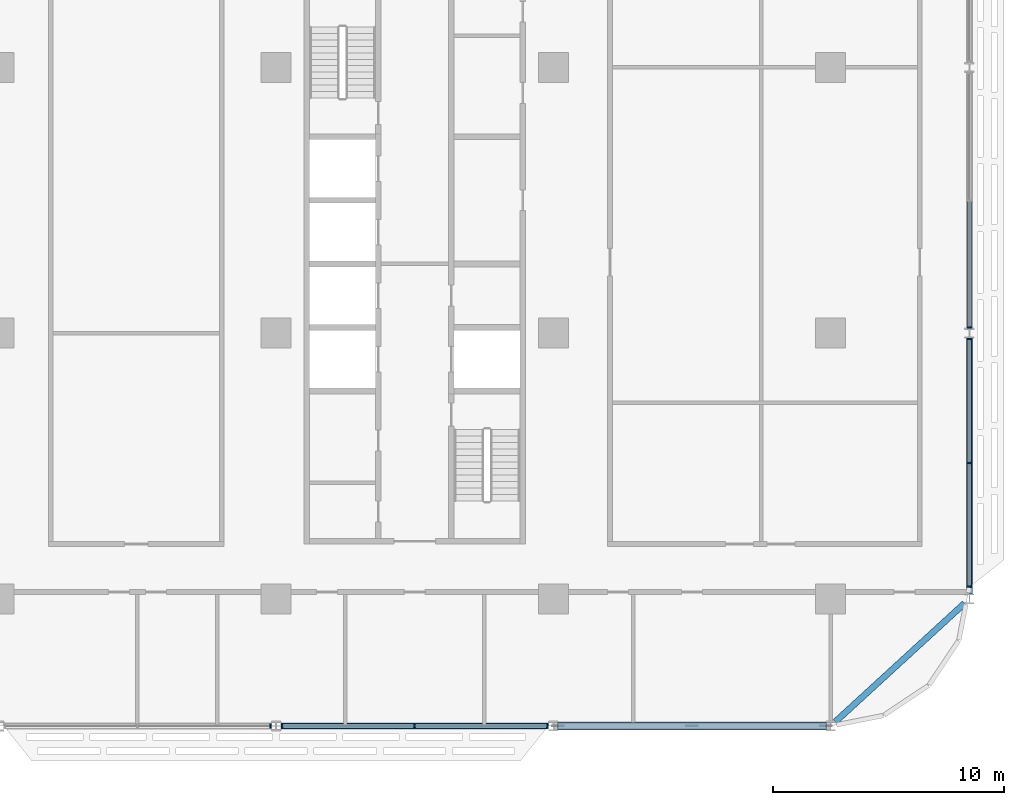
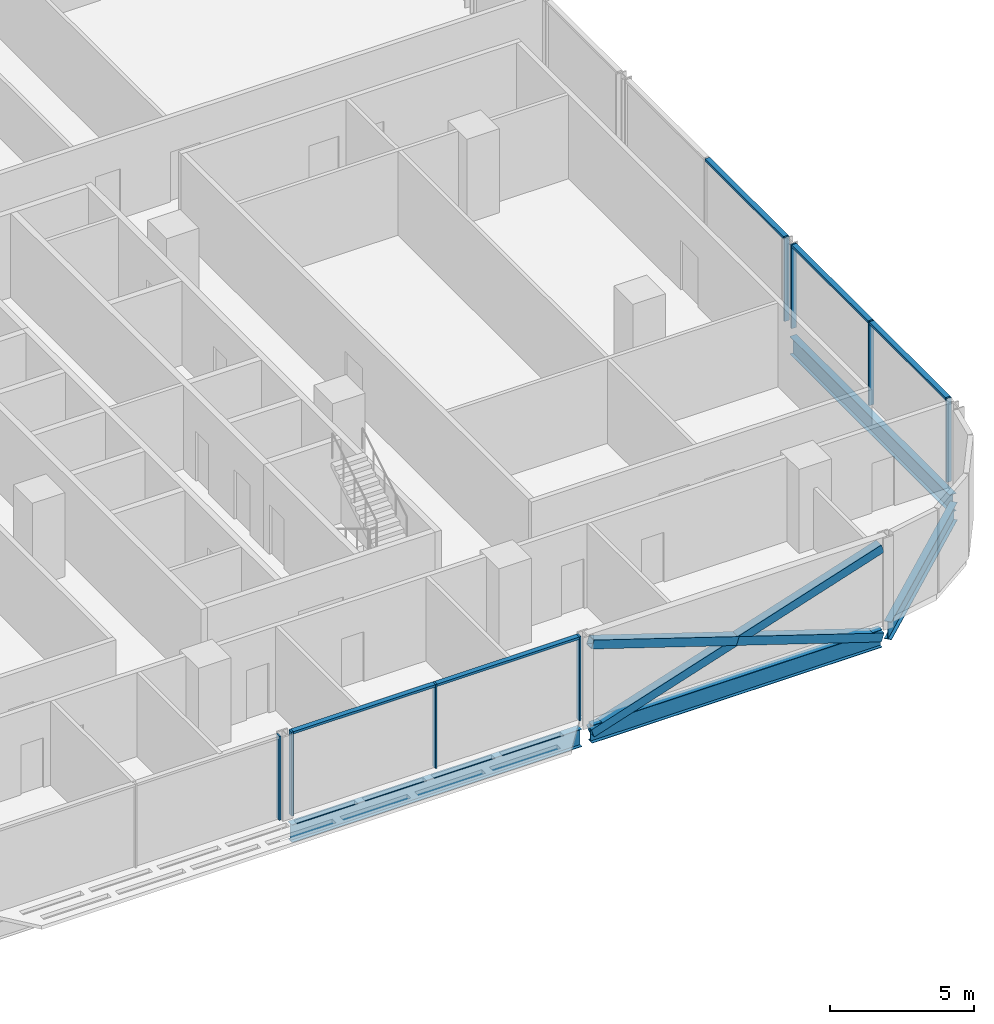
# One storey, part 8 of 29: 16 members, 4 beams, 4 elements without a shape of their own.
"""IFC4 building model written with IfcOpenShell, lengths in metres."""

from ifc_helpers import new_model, si_unit, direction, frame, origin, origin_2d, place, context, subcontext, project, spatial, rectangle, hollow_rectangle, i_section, extrude, material, material_profile, profile_set, type_object, element, aggregate, save


model = new_model("IFC4")

# Units and contexts
model_context = context("Model", 3, precision=1e-05, world=origin(), true_north=direction((0.0, 1.0)))
body_context = subcontext(model_context, "Body", "Model", "MODEL_VIEW")
ifc_project = project(units=[si_unit("LENGTHUNIT", "METRE"), si_unit("AREAUNIT", "SQUARE_METRE"), si_unit("VOLUMEUNIT", "CUBIC_METRE"), si_unit("PLANEANGLEUNIT", "RADIAN"), si_unit("MASSUNIT", "GRAM", prefix="KILO")], contexts=[model_context])

# Site, building, storey
site_placement = place(None, origin())
site = spatial("IfcSite", under=ifc_project, at=site_placement, CompositionType="ELEMENT")
building_placement = place(site_placement, origin())
building = spatial("IfcBuilding", under=site, at=building_placement, Name="Mahtab Terrace Research Tower", CompositionType="ELEMENT")
storey_placement = place(building_placement, frame((0.0, 0.0, 150.699951171875)))
storey = spatial("IfcBuildingStorey", under=building, at=storey_placement, Name="L35", CompositionType="ELEMENT", Elevation=150.699951171875)

# Members
ifc_material_1 = material(Name="Steel ASTM A500 Gr C", Category="steel")
ifc_material_profile_1 = material_profile(ifc_material_1, hollow_rectangle(XDim=0.355712890625, YDim=0.355712890625, WallThickness=0.01904296875, at=origin_2d()), Name="HSS14X14X3/4")
ifc_profile_set_1 = profile_set([ifc_material_profile_1], Name="Steel ASTM A500 Gr C")
member_type_1 = type_object("IfcMemberType", Name="HSS 14x14x3/4 brace XB141434", PredefinedType="BRACE", material=ifc_profile_set_1)
member_1_placement = place(storey_placement, frame((30.205810546875, -17.0, -0.651611328125), z_axis=(0.951266203011, 0.0, 0.308370898448), x_axis=(0.0, 1.0, 0.0)))
element("IfcMember", 1, at=member_1_placement, inside=storey, type_object=member_type_1, Name="Exoskeleton brace L35 20 a", PredefinedType="BRACE", context=body_context, shape_type="SweptSolid", body=[
    extrude(hollow_rectangle(XDim=0.355712890625, YDim=0.355712890625, WallThickness=0.01904296875, at=origin_2d()), origin(), (0.0, 0.0, 1.0), 12.18212890625),
])
for number, where, z_axis, x_axis, name in (
    (2, (41.794189453125, -17.0, -0.651611328125), (-0.951272081758, 0.0, 0.308352763029), (0.0, -1.0, 0.0), "Exoskeleton brace L35 20 b1"),
    (3, (36.0, -17.0, 1.2265625), (-0.95126032399, 0.0, 0.308389033531), (0.0, -1.0, 0.0), "Exoskeleton brace L35 20 b2"),
):
    element("IfcMember", number, at=place(storey_placement, frame(where, z_axis=z_axis, x_axis=x_axis)), inside=storey, type_object=member_type_1, Name=name, PredefinedType="BRACE", context=body_context, shape_type="SweptSolid", body=[
        extrude(hollow_rectangle(XDim=0.355712890625, YDim=0.355712890625, WallThickness=0.01904296875, at=origin_2d()), origin(), (0.0, 0.0, 1.0), 6.091064453125),
    ])

# Curtain wall, member
ifc_material_2 = material(Name="Laboratory ribbon curtain wall")
curtain_wall_type = type_object("IfcCurtainWallType", Name="Laboratory ribbon curtain wall", PredefinedType="NOTDEFINED", material=ifc_material_2)
curtain_wall_1_placement = place(storey_placement, origin())
curtain_wall_1 = element("IfcCurtainWall", 4, at=curtain_wall_1_placement, inside=storey, type_object=curtain_wall_type, Name="EN.L35.13.28", PredefinedType="NOTDEFINED")
ifc_material_3 = material(Name="Natural anodised aluminium", Category="aluminium")
ifc_material_profile_2 = material_profile(ifc_material_3, rectangle(XDim=0.199951171875, YDim=0.06494140625, at=origin_2d()), Name="MULLION 65x200")
ifc_profile_set_2 = profile_set([ifc_material_profile_2], Name="Natural anodised aluminium")
member_type_2 = type_object("IfcMemberType", Name="Laboratory ribbon curtain wall mullion", PredefinedType="MULLION", material=ifc_profile_set_2)
member_2_placement = place(storey_placement, frame((17.74951171875, -17.0, 0.0), z_axis=(0.0, 0.0, 1.0), x_axis=(0.0, 1.0, 0.0)))
member_2 = element("IfcMember", 5, at=member_2_placement, type_object=member_type_2, Name="CWL-4 mullion 3", PredefinedType="MULLION", context=body_context, shape_type="SweptSolid", body=[
    extrude(rectangle(XDim=0.199951171875, YDim=0.06494140625, at=origin_2d()), origin(), (0.0, 0.0, 1.0), 3.550048828125),
])
aggregate(curtain_wall_1, [member_2])

# Curtain wall, members
curtain_wall_2_placement = place(storey_placement, origin())
curtain_wall_2 = element("IfcCurtainWall", 6, at=curtain_wall_2_placement, inside=storey, type_object=curtain_wall_type, Name="EN.L35.13.29", PredefinedType="NOTDEFINED")
member_3_placement = place(storey_placement, frame((18.25048828125, -17.0, 0.0), z_axis=(0.0, 0.0, 1.0), x_axis=(0.0, 1.0, 0.0)))
member_3 = element("IfcMember", 7, at=member_3_placement, type_object=member_type_2, Name="CWL-4 mullion 1", PredefinedType="MULLION", context=body_context, shape_type="SweptSolid", body=[
    extrude(rectangle(XDim=0.199951171875, YDim=0.06494140625, at=origin_2d()), origin(), (0.0, 0.0, 1.0), 3.550048828125),
])
member_4_placement = place(storey_placement, frame((24.0, -17.0, 0.0), z_axis=(0.0, 0.0, 1.0), x_axis=(0.0, 1.0, 0.0)))
member_4 = element("IfcMember", 8, at=member_4_placement, type_object=member_type_2, Name="CWL-4 mullion 2", PredefinedType="MULLION", context=body_context, shape_type="SweptSolid", body=[
    extrude(rectangle(XDim=0.199951171875, YDim=0.06494140625, at=origin_2d()), origin(), (0.0, 0.0, 1.0), 3.550048828125),
])
member_5_placement = place(storey_placement, frame((29.74951171875, -17.0, 0.0), z_axis=(0.0, 0.0, 1.0), x_axis=(0.0, 1.0, 0.0)))
member_5 = element("IfcMember", 9, at=member_5_placement, type_object=member_type_2, Name="CWL-4 mullion 3", PredefinedType="MULLION", context=body_context, shape_type="SweptSolid", body=[
    extrude(rectangle(XDim=0.199951171875, YDim=0.06494140625, at=origin_2d()), origin(), (0.0, 0.0, 1.0), 3.550048828125),
])

curtain_wall_3_placement = place(storey_placement, origin())
curtain_wall_3 = element("IfcCurtainWall", 10, at=curtain_wall_3_placement, inside=storey, type_object=curtain_wall_type, Name="EN.L35.18.36", PredefinedType="NOTDEFINED")
member_6_placement = place(storey_placement, frame((48.0, -10.967529296875, 0.0), z_axis=(0.0, 0.0, 1.0), x_axis=(-1.0, 0.0, 0.0)))
member_6 = element("IfcMember", 11, at=member_6_placement, type_object=member_type_2, Name="CWL-4 mullion 1", PredefinedType="MULLION", context=body_context, shape_type="SweptSolid", body=[
    extrude(rectangle(XDim=0.199951171875, YDim=0.06494140625, at=origin_2d()), origin(), (0.0, 0.0, 1.0), 3.550048828125),
])
member_7_placement = place(storey_placement, frame((48.0, -5.60888671875, 0.0), z_axis=(0.0, 0.0, 1.0), x_axis=(-1.0, 0.0, 0.0)))
member_7 = element("IfcMember", 12, at=member_7_placement, type_object=member_type_2, Name="CWL-4 mullion 2", PredefinedType="MULLION", context=body_context, shape_type="SweptSolid", body=[
    extrude(rectangle(XDim=0.199951171875, YDim=0.06494140625, at=origin_2d()), origin(), (0.0, 0.0, 1.0), 3.550048828125),
])
member_8_placement = place(storey_placement, frame((48.0, -0.25048828125, 0.0), z_axis=(0.0, 0.0, 1.0), x_axis=(-1.0, 0.0, 0.0)))
member_8 = element("IfcMember", 13, at=member_8_placement, type_object=member_type_2, Name="CWL-4 mullion 3", PredefinedType="MULLION", context=body_context, shape_type="SweptSolid", body=[
    extrude(rectangle(XDim=0.199951171875, YDim=0.06494140625, at=origin_2d()), origin(), (0.0, 0.0, 1.0), 3.550048828125),
])

# Curtain wall, member
curtain_wall_4_placement = place(storey_placement, origin())
curtain_wall_4 = element("IfcCurtainWall", 14, at=curtain_wall_4_placement, inside=storey, type_object=curtain_wall_type, Name="EN.L35.18.37", PredefinedType="NOTDEFINED")
member_9_placement = place(storey_placement, frame((48.0, 0.25048828125, 0.0), z_axis=(0.0, 0.0, 1.0), x_axis=(-1.0, 0.0, 0.0)))
member_9 = element("IfcMember", 15, at=member_9_placement, type_object=member_type_2, Name="CWL-4 mullion 1", PredefinedType="MULLION", context=body_context, shape_type="SweptSolid", body=[
    extrude(rectangle(XDim=0.199951171875, YDim=0.06494140625, at=origin_2d()), origin(), (0.0, 0.0, 1.0), 3.550048828125),
])

# Member
ifc_material_profile_3 = material_profile(ifc_material_3, rectangle(XDim=0.199951171875, YDim=0.10009765625, at=origin_2d()), Name="TRANSOM 100x200")
ifc_profile_set_3 = profile_set([ifc_material_profile_3], Name="Natural anodised aluminium")
member_type_3 = type_object("IfcMemberType", Name="Laboratory ribbon curtain wall transom", PredefinedType="USERDEFINED", material=ifc_profile_set_3)
member_10_placement = place(storey_placement, frame((18.282958984375, -17.0, 3.5), z_axis=(1.0, 0.0, 0.0), x_axis=(0.0, 1.0, 0.0)))
member_10 = element("IfcMember", 16, at=member_10_placement, type_object=member_type_3, Name="CWL-4 transom 1", ObjectType="TRANSOM", PredefinedType="USERDEFINED", context=body_context, shape_type="SweptSolid", body=[
    extrude(rectangle(XDim=0.199951171875, YDim=0.10009765625, at=origin_2d()), origin(), (0.0, 0.0, 1.0), 5.6845703125),
])

member_11_placement = place(storey_placement, frame((24.032470703125, -17.0, 3.5), z_axis=(1.0, 0.0, 0.0), x_axis=(0.0, 1.0, 0.0)))
member_11 = element("IfcMember", 17, at=member_11_placement, type_object=member_type_3, Name="CWL-4 transom 2", ObjectType="TRANSOM", PredefinedType="USERDEFINED", context=body_context, shape_type="SweptSolid", body=[
    extrude(rectangle(XDim=0.199951171875, YDim=0.10009765625, at=origin_2d()), origin(), (0.0, 0.0, 1.0), 5.6845703125),
])

aggregate(curtain_wall_2, [member_3, member_4, member_5, member_10, member_11])

member_12_placement = place(storey_placement, frame((48.0, -10.93505859375, 3.5), z_axis=(0.0, 1.0, 0.0), x_axis=(-1.0, 0.0, 0.0)))
member_12 = element("IfcMember", 18, at=member_12_placement, type_object=member_type_3, Name="CWL-4 transom 1", ObjectType="TRANSOM", PredefinedType="USERDEFINED", context=body_context, shape_type="SweptSolid", body=[
    extrude(rectangle(XDim=0.199951171875, YDim=0.10009765625, at=origin_2d()), origin(), (0.0, 0.0, 1.0), 5.29345703125),
])

member_13_placement = place(storey_placement, frame((48.0, -5.576416015625, 3.5), z_axis=(0.0, 1.0, 0.0), x_axis=(-1.0, 0.0, 0.0)))
member_13 = element("IfcMember", 19, at=member_13_placement, type_object=member_type_3, Name="CWL-4 transom 2", ObjectType="TRANSOM", PredefinedType="USERDEFINED", context=body_context, shape_type="SweptSolid", body=[
    extrude(rectangle(XDim=0.199951171875, YDim=0.10009765625, at=origin_2d()), origin(), (0.0, 0.0, 1.0), 5.29345703125),
])

aggregate(curtain_wall_3, [member_6, member_7, member_8, member_12, member_13])

member_14_placement = place(storey_placement, frame((48.0, 0.282958984375, 3.5), z_axis=(0.0, 1.0, 0.0), x_axis=(-1.0, 0.0, 0.0)))
member_14 = element("IfcMember", 20, at=member_14_placement, type_object=member_type_3, Name="CWL-4 transom 1", ObjectType="TRANSOM", PredefinedType="USERDEFINED", context=body_context, shape_type="SweptSolid", body=[
    extrude(rectangle(XDim=0.199951171875, YDim=0.10009765625, at=origin_2d()), origin(), (0.0, 0.0, 1.0), 5.4345703125),
])

aggregate(curtain_wall_4, [member_9, member_14])

# Beams
ifc_material_4 = material(Name="Steel ASTM A992 Gr 50", Category="steel")
ifc_material_profile_4 = material_profile(ifc_material_4, i_section(OverallWidth=0.2666015625, OverallDepth=0.7568359375, WebThickness=0.013916015625, FlangeThickness=0.019287109375, at=origin_2d()), Name="W30X108")
ifc_profile_set_4 = profile_set([ifc_material_profile_4], Name="Steel ASTM A992 Gr 50")
beam_type = type_object("IfcBeamType", Name="W30x108 beam BS30108", PredefinedType="BEAM", material=ifc_profile_set_4)
for number, where, z_axis, x_axis, name in (
    (21, (18.205810546875, -17.0, -0.718505859375), (1.0, 0.0, 0.0), (0.0, 1.0, 0.0), "Spandrel beam L35 19"),
    (22, (30.205810546875, -17.0, -0.718505859375), (1.0, 0.0, 0.0), (0.0, 1.0, 0.0), "Spandrel beam L35 20"),
):
    element("IfcBeam", number, at=place(storey_placement, frame(where, z_axis=z_axis, x_axis=x_axis)), inside=storey, type_object=beam_type, Name=name, PredefinedType="BEAM", context=body_context, shape_type="SweptSolid", body=[
        extrude(i_section(OverallWidth=0.2666015625, OverallDepth=0.7568359375, WebThickness=0.013916015625, FlangeThickness=0.019287109375, at=origin_2d()), origin(), (0.0, 0.0, 1.0), 11.58837890625),
    ])
beam_1_placement = place(storey_placement, frame((42.205810546875, -16.811279296875, -0.718505859375), z_axis=(0.737162160905, 0.675715878554, 0.0), x_axis=(-0.675715878554, 0.737162160905, 0.0)))
element("IfcBeam", 23, at=beam_1_placement, inside=storey, type_object=beam_type, Name="Spandrel beam L35 21", PredefinedType="BEAM", context=body_context, shape_type="SweptSolid", body=[
    extrude(i_section(OverallWidth=0.2666015625, OverallDepth=0.7568359375, WebThickness=0.013916015625, FlangeThickness=0.019287109375, at=origin_2d()), origin(), (0.0, 0.0, 1.0), 7.5810546875),
])
beam_2_placement = place(storey_placement, frame((48.0, -11.282958984375, -0.718505859375), z_axis=(0.0, 1.0, 0.0), x_axis=(-1.0, 0.0, 0.0)))
element("IfcBeam", 24, at=beam_2_placement, inside=storey, type_object=beam_type, Name="Spandrel beam L35 22", PredefinedType="BEAM", context=body_context, shape_type="SweptSolid", body=[
    extrude(i_section(OverallWidth=0.2666015625, OverallDepth=0.7568359375, WebThickness=0.013916015625, FlangeThickness=0.019287109375, at=origin_2d()), origin(), (0.0, 0.0, 1.0), 11.06591796875),
])

save(model, "model.ifc")
